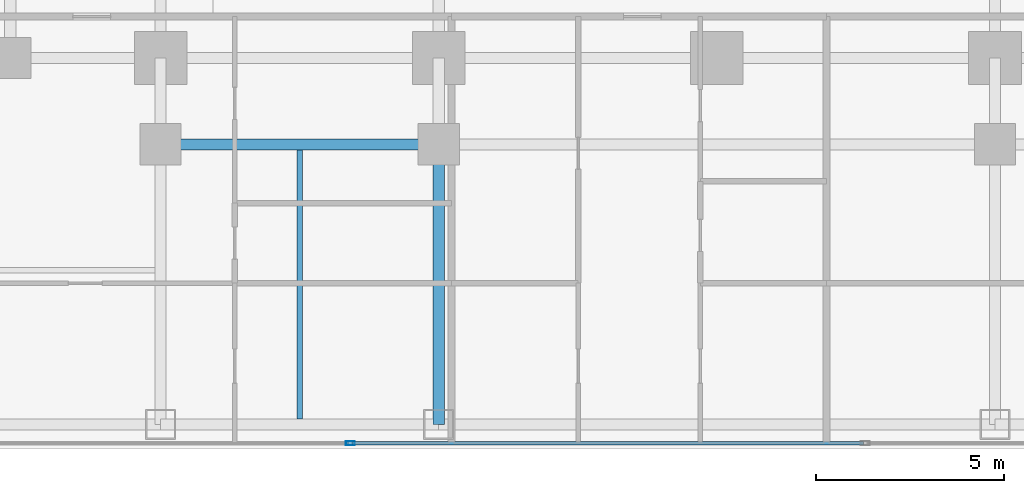
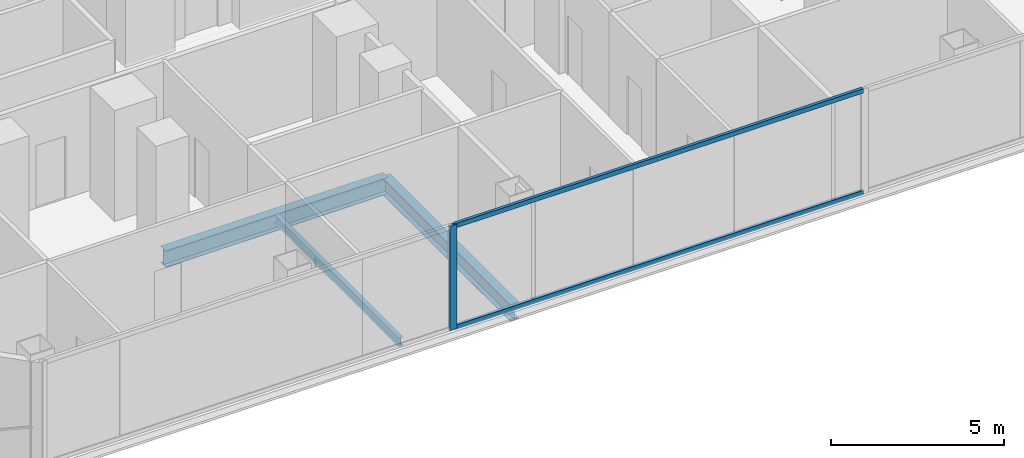
# One storey, part 4 of 29: 3 beams, 3 members, 1 element without a shape of its own.
"""IFC4 building model written with IfcOpenShell, lengths in metres."""

from ifc_helpers import new_model, si_unit, direction, frame, origin, origin_2d, place, context, subcontext, project, spatial, hollow_rectangle, i_section, extrude, material, layer, layer_set, material_profile, profile_set, type_object, element, aggregate, save


model = new_model("IFC4")

# Units and contexts
model_context = context("Model", 3, precision=1e-05, world=origin(), true_north=direction((0.0, 1.0)))
body_context = subcontext(model_context, "Body", "Model", "MODEL_VIEW")
ifc_project = project(units=[si_unit("LENGTHUNIT", "METRE"), si_unit("AREAUNIT", "SQUARE_METRE"), si_unit("VOLUMEUNIT", "CUBIC_METRE"), si_unit("PLANEANGLEUNIT", "RADIAN"), si_unit("MASSUNIT", "GRAM", prefix="KILO")], contexts=[model_context])

# Site, building, storey
site_placement = place(None, origin())
site = spatial("IfcSite", under=ifc_project, at=site_placement, CompositionType="ELEMENT")
building_placement = place(site_placement, origin())
building = spatial("IfcBuilding", under=site, at=building_placement, Name="Khorvyn Point Tower", CompositionType="ELEMENT")
storey_placement = place(building_placement, frame((0.0, 0.0, 69.60009765625)))
storey = spatial("IfcBuildingStorey", under=building, at=storey_placement, Name="L18", CompositionType="ELEMENT", Elevation=69.60009765625)

# Curtain wall, members
ifc_material_1 = material(Name="Anodised aluminium 6063-T6 and laminated Low-E glass", Category="aluminium")
ifc_layer = layer(ifc_material_1, 0.18994140625)
ifc_layer_set = layer_set([ifc_layer], Name="Stick-Built Finned Residential Curtain Wall CW-SYS-02")
curtain_wall_type = type_object("IfcCurtainWallType", Name="Stick-Built Finned Residential Curtain Wall CW-SYS-02", PredefinedType="NOTDEFINED", material=ifc_layer_set)
curtain_wall_placement = place(storey_placement, origin())
curtain_wall = element("IfcCurtainWall", 1, at=curtain_wall_placement, inside=storey, type_object=curtain_wall_type, Name="Curtain Wall", PredefinedType="NOTDEFINED")
ifc_material_2 = material(Name="Anodised aluminium 6063-T6", Category="aluminium")
ifc_material_profile_1 = material_profile(ifc_material_2, hollow_rectangle(XDim=0.10009765625, YDim=0.239990234375, WallThickness=0.0048828125, at=origin_2d()))
ifc_profile_set_1 = profile_set([ifc_material_profile_1], Name="Anodised aluminium 6063-T6 ALU-MUL-100x240")
member_type_1 = type_object("IfcMemberType", Name="Anodised Aluminium 6063-T6 Mullion ALU-MUL-100x240", PredefinedType="MULLION", material=ifc_profile_set_1)
member_1_placement = place(storey_placement, frame((-9.75, -25.050048828125, 0.0), z_axis=(0.0, 0.0, 1.0), x_axis=(0.0, -1.0, 0.0)))
member_1 = element("IfcMember", 2, at=member_1_placement, type_object=member_type_1, Name="Transom", PredefinedType="MULLION", context=body_context, shape_type="SweptSolid", body=[
    extrude(hollow_rectangle(XDim=0.10009765625, YDim=0.239990234375, WallThickness=0.0048828125, at=origin_2d()), origin(), (0.0, 0.0, 1.0), 3.679931640625),
])
ifc_material_profile_2 = material_profile(ifc_material_2, hollow_rectangle(XDim=0.10009765625, YDim=0.159912109375, WallThickness=0.00439453125, at=origin_2d()))
ifc_profile_set_2 = profile_set([ifc_material_profile_2], Name="Anodised aluminium 6063-T6 ALU-TRN-100x160")
member_type_2 = type_object("IfcMemberType", Name="Anodised Aluminium 6063-T6 Transom ALU-TRN-100x160", PredefinedType="USERDEFINED", material=ifc_profile_set_2)
member_2_placement = place(storey_placement, frame((3.89990234375, -25.050048828125, 0.0498046875), z_axis=(-1.0, 0.0, 0.0), x_axis=(0.0, -1.0, 0.0)))
member_2 = element("IfcMember", 3, at=member_2_placement, type_object=member_type_2, Name="Transom", ObjectType="TRANSOM", PredefinedType="USERDEFINED", context=body_context, shape_type="SweptSolid", body=[
    extrude(hollow_rectangle(XDim=0.10009765625, YDim=0.159912109375, WallThickness=0.00439453125, at=origin_2d()), origin(), (0.0, 0.0, 1.0), 13.599853515625),
])
member_3_placement = place(storey_placement, frame((3.89990234375, -25.050048828125, 3.6298828125), z_axis=(-1.0, 0.0, 0.0), x_axis=(0.0, -1.0, 0.0)))
member_3 = element("IfcMember", 4, at=member_3_placement, type_object=member_type_2, Name="Transom", ObjectType="TRANSOM", PredefinedType="USERDEFINED", context=body_context, shape_type="SweptSolid", body=[
    extrude(hollow_rectangle(XDim=0.10009765625, YDim=0.159912109375, WallThickness=0.00439453125, at=origin_2d()), origin(), (0.0, 0.0, 1.0), 13.599853515625),
])
aggregate(curtain_wall, [member_1, member_2, member_3])

# Beams
ifc_material_3 = material(Name="Steel S355", Category="steel")
ifc_material_profile_3 = material_profile(ifc_material_3, i_section(OverallWidth=0.300048828125, OverallDepth=0.587890625, WebThickness=0.011962890625, FlangeThickness=0.02001953125, at=origin_2d()))
ifc_profile_set_3 = profile_set([ifc_material_profile_3], Name="Steel S355 H588x300x12x20")
beam_type_1 = type_object("IfcBeamType", Name="Steel S355 Beam H588x300x12x20", PredefinedType="BEAM", material=ifc_profile_set_3)
beam_1_placement = place(storey_placement, frame((-14.800048828125, -17.10009765625, -0.51416015625), z_axis=(1.0, 0.0, 0.0), x_axis=(0.0, 1.0, 0.0)))
element("IfcBeam", 5, at=beam_1_placement, inside=storey, type_object=beam_type_1, Name="Beam", PredefinedType="BEAM", context=body_context, shape_type="SweptSolid", body=[
    extrude(i_section(OverallWidth=0.300048828125, OverallDepth=0.587890625, WebThickness=0.011962890625, FlangeThickness=0.02001953125, at=origin_2d()), origin(), (0.0, 0.0, 1.0), 7.400146484375),
])
beam_2_placement = place(storey_placement, frame((-7.39990234375, -24.550048828125, -0.51416015625), z_axis=(0.0, 1.0, 0.0), x_axis=(-1.0, 0.0, 0.0)))
element("IfcBeam", 6, at=beam_2_placement, inside=storey, type_object=beam_type_1, Name="Beam", PredefinedType="BEAM", context=body_context, shape_type="SweptSolid", body=[
    extrude(i_section(OverallWidth=0.300048828125, OverallDepth=0.587890625, WebThickness=0.011962890625, FlangeThickness=0.02001953125, at=origin_2d()), origin(), (0.0, 0.0, 1.0), 7.449951171875),
])
ifc_material_profile_4 = material_profile(ifc_material_3, i_section(OverallWidth=0.14990234375, OverallDepth=0.300048828125, WebThickness=0.006591796875, FlangeThickness=0.009033203125, at=origin_2d()))
ifc_profile_set_4 = profile_set([ifc_material_profile_4], Name="Steel S355 H300x150x6.5x9")
beam_type_2 = type_object("IfcBeamType", Name="Steel S355 Joist H300x150x6.5x9", PredefinedType="JOIST", material=ifc_profile_set_4)
beam_3_placement = place(storey_placement, frame((-11.10009765625, -24.39990234375, -0.3701171875), z_axis=(0.0, 1.0, 0.0), x_axis=(-1.0, 0.0, 0.0)))
element("IfcBeam", 7, at=beam_3_placement, inside=storey, type_object=beam_type_2, Name="Beam", PredefinedType="JOIST", context=body_context, shape_type="SweptSolid", body=[
    extrude(i_section(OverallWidth=0.14990234375, OverallDepth=0.300048828125, WebThickness=0.006591796875, FlangeThickness=0.009033203125, at=origin_2d()), origin(), (0.0, 0.0, 1.0), 7.14990234375),
])

save(model, "model.ifc")
